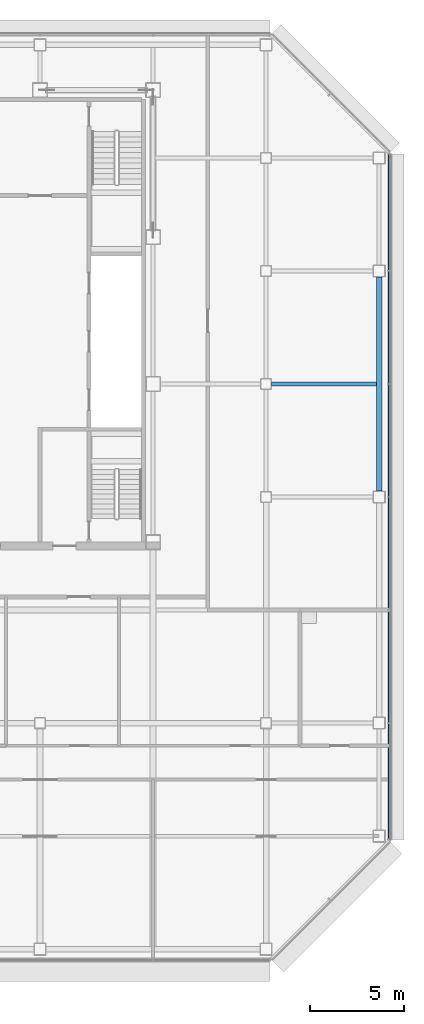
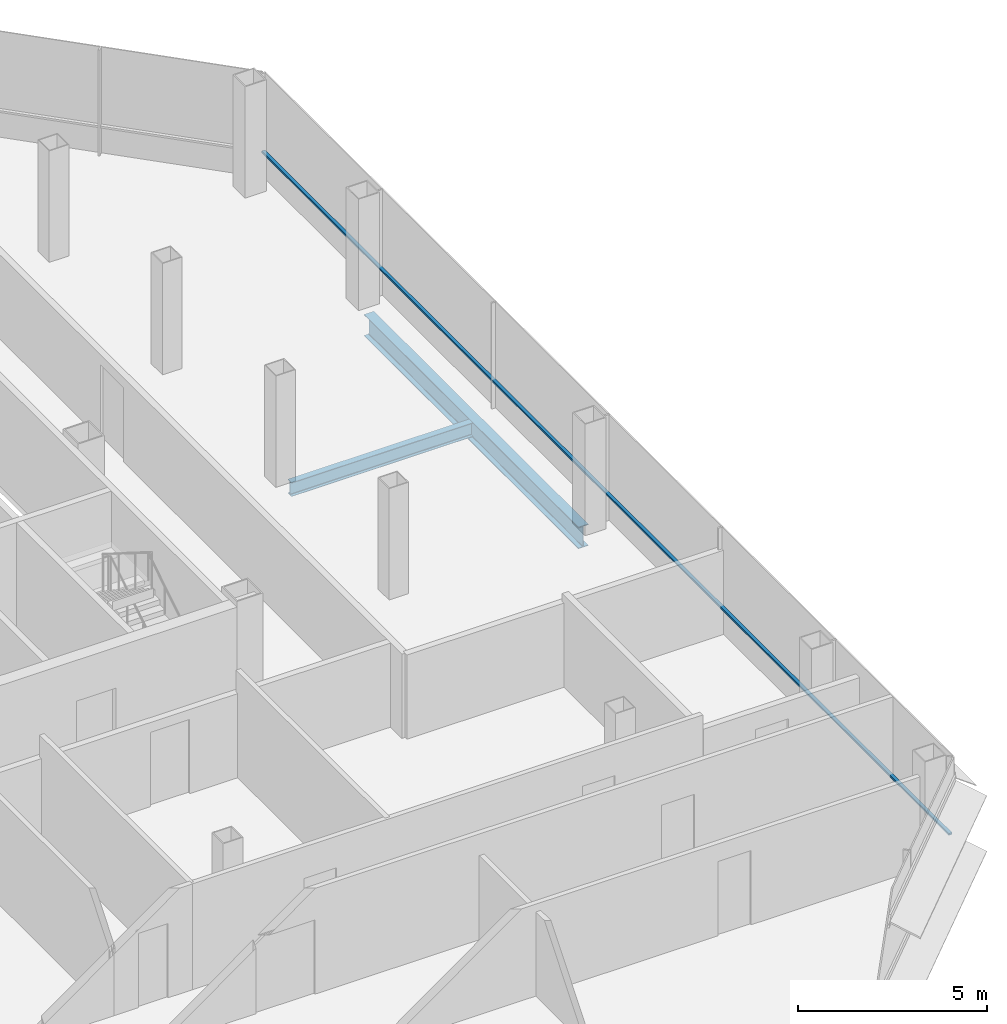
# One storey, part 17 of 26: 2 beams, 1 member, 1 element without a shape of its own.
"""IFC4 building model written with IfcOpenShell, lengths in metres."""

from ifc_helpers import new_model, si_unit, direction, frame, origin, origin_2d, place, context, subcontext, project, spatial, rectangle, i_section, extrude, material, material_profile, profile_set, type_object, element, aggregate, save


model = new_model("IFC4")

# Units and contexts
model_context = context("Model", 3, precision=1e-05, world=origin(), true_north=direction((0.0, 1.0)))
body_context = subcontext(model_context, "Body", "Model", "MODEL_VIEW")
ifc_project = project(units=[si_unit("LENGTHUNIT", "METRE"), si_unit("AREAUNIT", "SQUARE_METRE"), si_unit("VOLUMEUNIT", "CUBIC_METRE"), si_unit("PLANEANGLEUNIT", "RADIAN"), si_unit("MASSUNIT", "GRAM", prefix="KILO")], contexts=[model_context])

# Site, building, storey
site_placement = place(None, origin())
site = spatial("IfcSite", under=ifc_project, at=site_placement, CompositionType="ELEMENT")
building_placement = place(site_placement, origin())
building = spatial("IfcBuilding", under=site, at=building_placement, Name="Sorahane Residences", CompositionType="ELEMENT")
storey_placement = place(building_placement, frame((0.0, 0.0, 222.60009765625)))
storey = spatial("IfcBuildingStorey", under=building, at=storey_placement, Name="L52", CompositionType="ELEMENT", Elevation=222.60009765625)

# Curtain wall, member
ifc_material_1 = material(Name="Dark low-e glass and black anodised aluminium", Category="aluminium")
curtain_wall_type = type_object("IfcCurtainWallType", Name="Curtain wall CW-1 Typical unitised wall", PredefinedType="NOTDEFINED", material=ifc_material_1)
curtain_wall_placement = place(storey_placement, origin())
curtain_wall = element("IfcCurtainWall", 1, at=curtain_wall_placement, inside=storey, type_object=curtain_wall_type, Name="CW-1 curtain wall L52 E1", PredefinedType="NOTDEFINED")
ifc_material_2 = material(Name="Black anodised aluminium", Category="aluminium")
ifc_material_profile_1 = material_profile(ifc_material_2, rectangle(XDim=0.10009765625, YDim=0.06005859375, at=origin_2d()), Name="Curtain wall transom CW-1 black anodised aluminium 60x100")
ifc_profile_set_1 = profile_set([ifc_material_profile_1], Name="Black anodised aluminium")
member_type = type_object("IfcMemberType", Name="Curtain wall transom CW-1 black anodised aluminium 60x100", PredefinedType="USERDEFINED", material=ifc_profile_set_1)
member_placement = place(storey_placement, frame((54.530029296875, 5.801513671875, 0.89990234375), z_axis=(0.0, 1.0, 0.0), x_axis=(-1.0, 0.0, 0.0)))
member = element("IfcMember", 2, at=member_placement, type_object=member_type, Name="CW-1 transom L52 E1", ObjectType="TRANSOM", PredefinedType="USERDEFINED", context=body_context, shape_type="SweptSolid", body=[
    extrude(rectangle(XDim=0.10009765625, YDim=0.06005859375, at=origin_2d()), origin(), (0.0, 0.0, 1.0), 36.39697265625),
])
aggregate(curtain_wall, [member])

# Beams
ifc_material_3 = material(Name="Steel Q355B", Category="steel")
ifc_material_profile_2 = material_profile(ifc_material_3, i_section(OverallWidth=0.199951171875, OverallDepth=0.449951171875, WebThickness=0.009033203125, FlangeThickness=0.013916015625, FilletRadius=0.02001953125, at=origin_2d()), Name="HN 450x200x9x14")
ifc_profile_set_2 = profile_set([ifc_material_profile_2], Name="Steel Q355B")
beam_type_1 = type_object("IfcBeamType", Name="Steel floor beam HN 450x200x9x14 Q355B", PredefinedType="BEAM", material=ifc_profile_set_2)
beam_1_placement = place(storey_placement, frame((48.300048828125, 30.0, -0.405029296875), z_axis=(1.0, 0.0, 0.0), x_axis=(0.0, 1.0, 0.0)))
element("IfcBeam", 3, at=beam_1_placement, inside=storey, type_object=beam_type_1, Name="Beam L52 088", PredefinedType="BEAM", context=body_context, shape_type="SweptSolid", body=[
    extrude(i_section(OverallWidth=0.199951171875, OverallDepth=0.449951171875, WebThickness=0.009033203125, FlangeThickness=0.013916015625, FilletRadius=0.02001953125, at=origin_2d()), origin(), (0.0, 0.0, 1.0), 5.550048828125),
])
ifc_material_4 = material(Name="Steel Q355B", Category="steel")
ifc_material_profile_3 = material_profile(ifc_material_4, i_section(OverallWidth=0.300048828125, OverallDepth=0.699951171875, WebThickness=0.012939453125, FlangeThickness=0.02392578125, FilletRadius=0.028076171875, at=origin_2d()), Name="HN 700x300x13x24")
ifc_profile_set_3 = profile_set([ifc_material_profile_3], Name="Steel Q355B")
beam_type_2 = type_object("IfcBeamType", Name="Steel floor beam HN 700x300x13x24 Q355B", PredefinedType="BEAM", material=ifc_profile_set_3)
beam_2_placement = place(storey_placement, frame((54.0, 24.324951171875, -0.530029296875), z_axis=(0.0, 1.0, 0.0), x_axis=(-1.0, 0.0, 0.0)))
element("IfcBeam", 4, at=beam_2_placement, inside=storey, type_object=beam_type_2, Name="Beam L52 066", PredefinedType="BEAM", context=body_context, shape_type="SweptSolid", body=[
    extrude(i_section(OverallWidth=0.300048828125, OverallDepth=0.699951171875, WebThickness=0.012939453125, FlangeThickness=0.02392578125, FilletRadius=0.028076171875, at=origin_2d()), origin(), (0.0, 0.0, 1.0), 11.35009765625),
])

save(model, "model.ifc")
